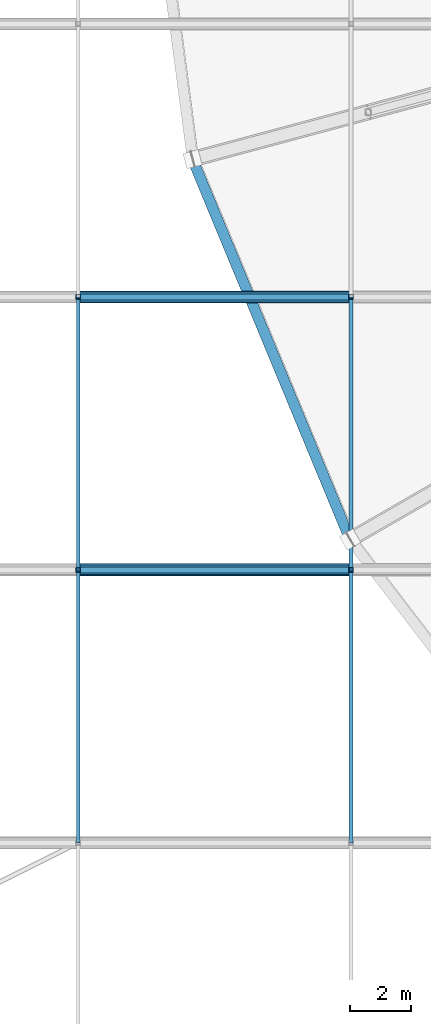
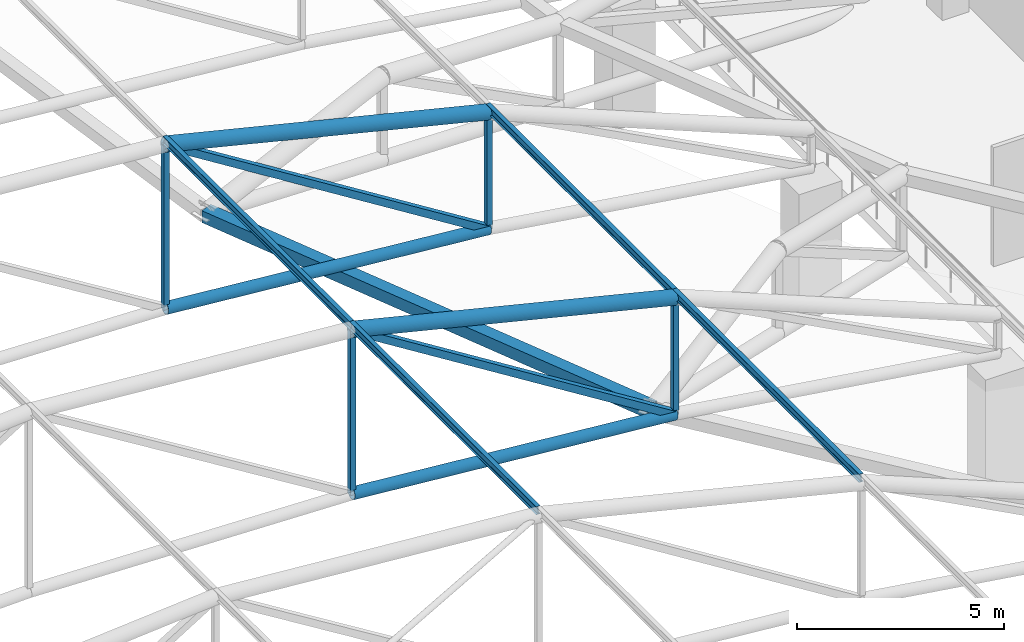
# One storey, part 19 of 167: 15 members.
"""IFC4 building model written with IfcOpenShell, lengths in metres."""

from ifc_helpers import new_model, si_unit, direction, frame, origin, origin_2d, place, context, subcontext, project, spatial, hollow_rectangle, hollow_circle, i_section, extrude, material, material_profile, profile_set, type_object, element, save


model = new_model("IFC4")

# Units and contexts
model_context = context("Model", 3, precision=1e-05, world=origin(), true_north=direction((0.0, 1.0)))
body_context = subcontext(model_context, "Body", "Model", "MODEL_VIEW")
ifc_project = project(units=[si_unit("LENGTHUNIT", "METRE"), si_unit("AREAUNIT", "SQUARE_METRE"), si_unit("VOLUMEUNIT", "CUBIC_METRE"), si_unit("PLANEANGLEUNIT", "RADIAN"), si_unit("MASSUNIT", "GRAM", prefix="KILO")], contexts=[model_context])

# Site, building, storey
site_placement = place(None, origin())
site = spatial("IfcSite", under=ifc_project, at=site_placement, CompositionType="ELEMENT")
building_placement = place(site_placement, origin())
building = spatial("IfcBuilding", under=site, at=building_placement, Name="Dornveld Trade and Exhibition Forum", CompositionType="ELEMENT")
storey_placement = place(building_placement, frame((0.0, 0.0, 16.800048828125)))
storey = spatial("IfcBuildingStorey", under=building, at=storey_placement, Name="L03", CompositionType="ELEMENT", Elevation=16.800048828125)

# Members
ifc_material_1 = material(Name="Steel S355J2", Category="steel")
ifc_material_profile_1 = material_profile(ifc_material_1, hollow_circle(Radius=0.161865234375, WallThickness=0.01611328125, at=origin_2d()), Name="CHS 323.9x16")
ifc_profile_set_1 = profile_set([ifc_material_profile_1], Name="Steel S355J2")
member_type_1 = type_object("IfcMemberType", Name="MEM-ARCH-BC", PredefinedType="CHORD", material=ifc_profile_set_1)
for number, where, z_axis, x_axis, name in (
    (1, (63.0, 54.0, 6.083251953125), (0.996072164085, 0.0, -0.088545151956), (0.0, 1.0, 0.0), "H3 truss 3 tie chord 5"),
    (2, (63.0, 63.0, 6.083251953125), (0.996072164085, 0.0, -0.088545151956), (0.0, 1.0, 0.0), "H3 truss 4 tie chord 5"),
):
    element("IfcMember", number, at=place(storey_placement, frame(where, z_axis=z_axis, x_axis=x_axis)), inside=storey, type_object=member_type_1, Name=name, PredefinedType="CHORD", context=body_context, shape_type="SweptSolid", body=[
        extrude(hollow_circle(Radius=0.161865234375, WallThickness=0.01611328125, at=origin_2d()), origin(), (0.0, 0.0, 1.0), 9.035400390625),
    ])
ifc_material_2 = material(Name="Steel S355J2", Category="steel")
ifc_material_profile_2 = material_profile(ifc_material_2, hollow_rectangle(XDim=0.14990234375, YDim=0.14990234375, WallThickness=0.008056640625, at=origin_2d()), Name="SHS 150x150x8")
ifc_profile_set_2 = profile_set([ifc_material_profile_2], Name="Steel S355J2")
member_type_2 = type_object("IfcMemberType", Name="MEM-ARCH-STR", PredefinedType="STRUT", material=ifc_profile_set_2)
member_1_placement = place(storey_placement, frame((63.0, 54.0, 6.083251953125), z_axis=(0.0, 0.0, 1.0), x_axis=(1.0, 0.0, 0.0)))
element("IfcMember", 3, at=member_1_placement, inside=storey, type_object=member_type_2, Name="H3 truss 3 strut 5", PredefinedType="STRUT", context=body_context, shape_type="SweptSolid", body=[
    extrude(hollow_rectangle(XDim=0.14990234375, YDim=0.14990234375, WallThickness=0.008056640625, at=origin_2d()), origin(), (0.0, 0.0, 1.0), 4.83349609375),
])
member_2_placement = place(storey_placement, frame((72.0, 54.0, 5.283203125), z_axis=(0.0, 0.0, 1.0), x_axis=(1.0, 0.0, 0.0)))
element("IfcMember", 4, at=member_2_placement, inside=storey, type_object=member_type_2, Name="H3 truss 3 strut 6", PredefinedType="STRUT", context=body_context, shape_type="SweptSolid", body=[
    extrude(hollow_rectangle(XDim=0.14990234375, YDim=0.14990234375, WallThickness=0.008056640625, at=origin_2d()), origin(), (0.0, 0.0, 1.0), 3.433349609375),
])
member_3_placement = place(storey_placement, frame((63.0, 63.0, 6.083251953125), z_axis=(0.0, 0.0, 1.0), x_axis=(1.0, 0.0, 0.0)))
element("IfcMember", 5, at=member_3_placement, inside=storey, type_object=member_type_2, Name="H3 truss 4 strut 5", PredefinedType="STRUT", context=body_context, shape_type="SweptSolid", body=[
    extrude(hollow_rectangle(XDim=0.14990234375, YDim=0.14990234375, WallThickness=0.008056640625, at=origin_2d()), origin(), (0.0, 0.0, 1.0), 4.83349609375),
])
member_4_placement = place(storey_placement, frame((72.0, 63.0, 5.283203125), z_axis=(0.0, 0.0, 1.0), x_axis=(1.0, 0.0, 0.0)))
element("IfcMember", 6, at=member_4_placement, inside=storey, type_object=member_type_2, Name="H3 truss 4 strut 6", PredefinedType="STRUT", context=body_context, shape_type="SweptSolid", body=[
    extrude(hollow_rectangle(XDim=0.14990234375, YDim=0.14990234375, WallThickness=0.008056640625, at=origin_2d()), origin(), (0.0, 0.0, 1.0), 3.433349609375),
])
ifc_material_3 = material(Name="Steel S355J2", Category="steel")
ifc_material_profile_3 = material_profile(ifc_material_3, hollow_circle(Radius=0.203125, WallThickness=0.02001953125, at=origin_2d()), Name="CHS 406.4x20")
ifc_profile_set_3 = profile_set([ifc_material_profile_3], Name="Steel S355J2")
member_type_3 = type_object("IfcMemberType", Name="MEM-ARCH-TC", PredefinedType="CHORD", material=ifc_profile_set_3)
for number, where, z_axis, x_axis, name in (
    (7, (63.0, 54.0, 10.916748046875), (0.971394143806, 0.0, -0.237472982421), (0.0, 1.0, 0.0), "H3 truss 3 top chord 5"),
    (8, (63.0, 63.0, 10.916748046875), (0.971394143806, 0.0, -0.237472982421), (0.0, 1.0, 0.0), "H3 truss 4 top chord 5"),
):
    element("IfcMember", number, at=place(storey_placement, frame(where, z_axis=z_axis, x_axis=x_axis)), inside=storey, type_object=member_type_3, Name=name, PredefinedType="CHORD", context=body_context, shape_type="SweptSolid", body=[
        extrude(hollow_circle(Radius=0.203125, WallThickness=0.02001953125, at=origin_2d()), origin(), (0.0, 0.0, 1.0), 9.26513671875),
    ])
ifc_material_4 = material(Name="Steel S355J2", Category="steel")
ifc_material_profile_4 = material_profile(ifc_material_4, hollow_rectangle(XDim=0.199951171875, YDim=0.199951171875, WallThickness=0.010009765625, at=origin_2d()), Name="SHS 200x200x10")
ifc_profile_set_4 = profile_set([ifc_material_profile_4], Name="Steel S355J2")
member_type_4 = type_object("IfcMemberType", Name="MEM-ARCH-WEB", PredefinedType="BRACE", material=ifc_profile_set_4)
for number, where, z_axis, x_axis, name in (
    (9, (72.0, 54.0, 5.283203125), (-0.84763640931, 0.0, 0.53057753214), (0.0, -1.0, 0.0), "H3 truss 3 web 5"),
    (10, (72.0, 63.0, 5.283203125), (-0.84763640931, 0.0, 0.53057753214), (0.0, -1.0, 0.0), "H3 truss 4 web 5"),
):
    element("IfcMember", number, at=place(storey_placement, frame(where, z_axis=z_axis, x_axis=x_axis)), inside=storey, type_object=member_type_4, Name=name, PredefinedType="BRACE", context=body_context, shape_type="SweptSolid", body=[
        extrude(hollow_rectangle(XDim=0.199951171875, YDim=0.199951171875, WallThickness=0.010009765625, at=origin_2d()), origin(), (0.0, 0.0, 1.0), 10.61767578125),
    ])
ifc_material_5 = material(Name="Steel S355J2", Category="steel")
ifc_material_profile_5 = material_profile(ifc_material_5, hollow_rectangle(XDim=0.35009765625, YDim=0.35009765625, WallThickness=0.01611328125, at=origin_2d()), Name="SHS 350x350x16")
ifc_profile_set_5 = profile_set([ifc_material_profile_5], Name="Steel S355J2")
member_type_5 = type_object("IfcMemberType", Name="MEM-DISC-RING", PredefinedType="CHORD", material=ifc_profile_set_5)
member_5_placement = place(storey_placement, frame((66.77197265625, 67.54150390625, 4.800048828125), z_axis=(0.382681118981, -0.923880490743, 0.0), x_axis=(0.923880490743, 0.382681118981, 0.0)))
element("IfcMember", 11, at=member_5_placement, inside=storey, type_object=member_type_5, Name="Roof disc ring 4 chord 14", PredefinedType="CHORD", context=body_context, shape_type="SweptSolid", body=[
    extrude(hollow_rectangle(XDim=0.35009765625, YDim=0.35009765625, WallThickness=0.01611328125, at=origin_2d()), origin(), (0.0, 0.0, 1.0), 13.57470703125),
])
ifc_material_6 = material(Name="Steel S355J2", Category="steel")
ifc_material_profile_6 = material_profile(ifc_material_6, i_section(OverallWidth=0.1201171875, OverallDepth=0.239990234375, WebThickness=0.006103515625, FlangeThickness=0.009765625, FilletRadius=0.014892578125, at=origin_2d()), Name="IPE 240")
ifc_profile_set_6 = profile_set([ifc_material_profile_6], Name="Steel S355J2")
member_type_6 = type_object("IfcMemberType", Name="MEM-PURLIN-240", PredefinedType="PURLIN", material=ifc_profile_set_6)
for number, where, z_axis, x_axis, name in (
    (12, (63.0, 45.0, 11.048583984375), (0.0, 1.0, 0.0), (-1.0, 0.0, 0.0), "H3 bay 2 roof purlin 5"),
    (13, (72.0, 45.0, 8.8486328125), (0.0, 1.0, 0.0), (-1.0, 0.0, 0.0), "H3 bay 2 roof purlin 6"),
    (14, (63.0, 54.0, 11.048583984375), (0.0, 1.0, 0.0), (-1.0, 0.0, 0.0), "H3 bay 3 roof purlin 5"),
    (15, (72.0, 54.0, 8.8486328125), (0.0, 1.0, 0.0), (-1.0, 0.0, 0.0), "H3 bay 3 roof purlin 6"),
):
    element("IfcMember", number, at=place(storey_placement, frame(where, z_axis=z_axis, x_axis=x_axis)), inside=storey, type_object=member_type_6, Name=name, PredefinedType="PURLIN", context=body_context, shape_type="SweptSolid", body=[
        extrude(i_section(OverallWidth=0.1201171875, OverallDepth=0.239990234375, WebThickness=0.006103515625, FlangeThickness=0.009765625, FilletRadius=0.014892578125, at=origin_2d()), origin(), (0.0, 0.0, 1.0), 9.0),
    ])

save(model, "model.ifc")
